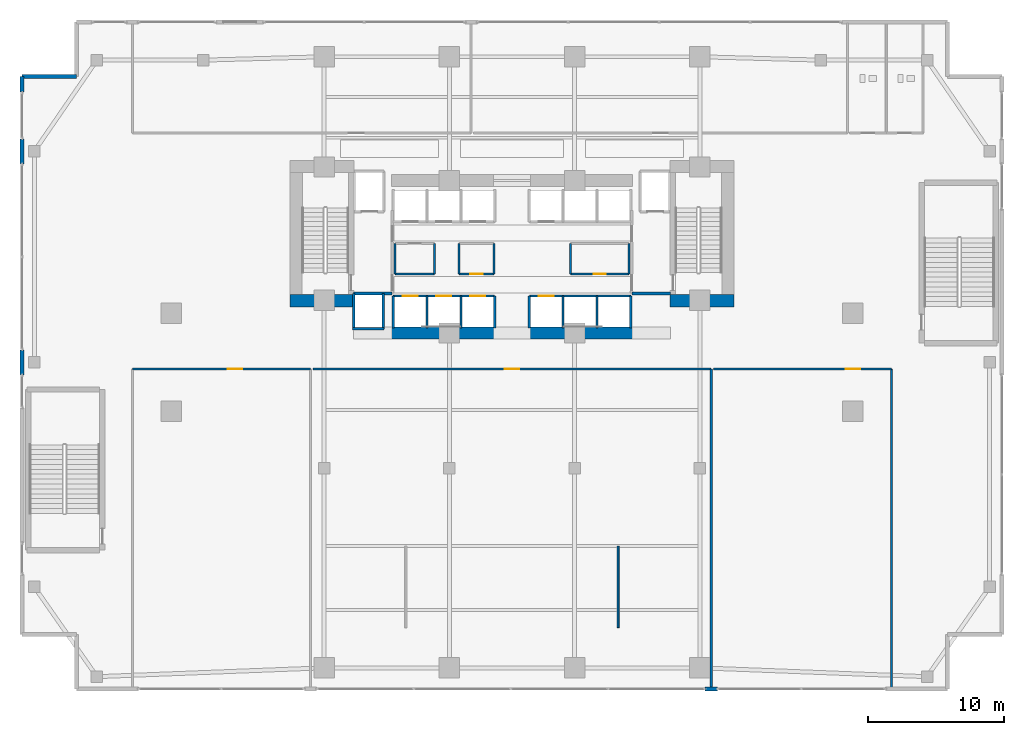
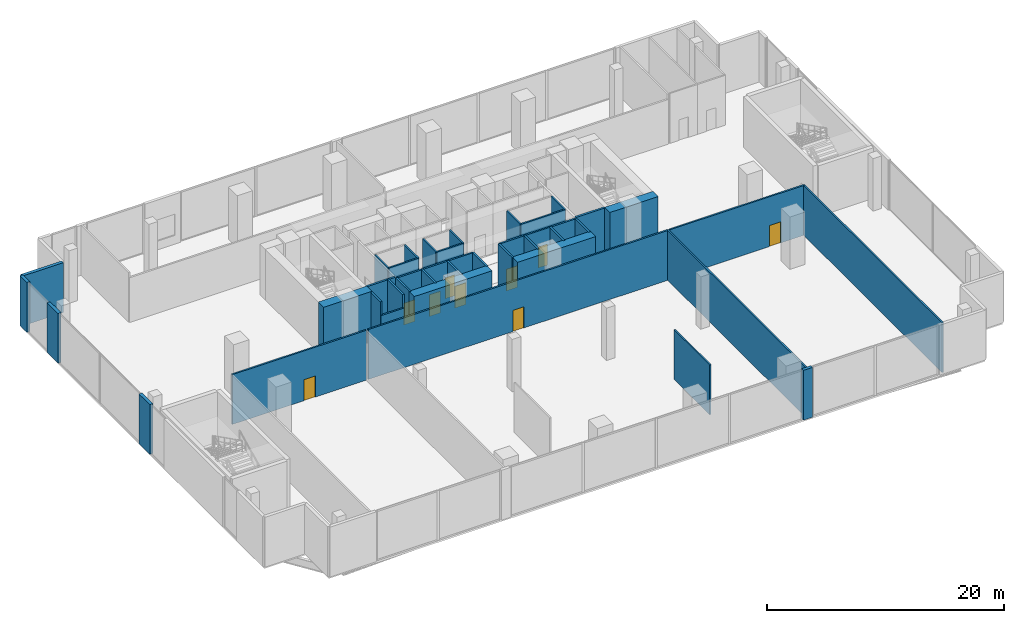
# One storey, part 23 of 30: 43 walls, 9 doors, 9 openings.
"""IFC4 building model written with IfcOpenShell, lengths in metres."""

from ifc_helpers import new_model, si_unit, direction, frame, frame_2d, origin, place, context, subcontext, project, spatial, rectangle, extrude, material, layer, layer_set, type_object, element, fill, save


model = new_model("IFC4")

# Units and contexts
model_context = context("Model", 3, precision=1e-05, world=origin(), true_north=direction((0.0, 1.0)))
body_context = subcontext(model_context, "Body", "Model", "MODEL_VIEW")
ifc_project = project(units=[si_unit("LENGTHUNIT", "METRE"), si_unit("AREAUNIT", "SQUARE_METRE"), si_unit("VOLUMEUNIT", "CUBIC_METRE"), si_unit("PLANEANGLEUNIT", "RADIAN"), si_unit("MASSUNIT", "GRAM", prefix="KILO")], contexts=[model_context])

# Site, building, storey
site_placement = place(None, origin())
site = spatial("IfcSite", under=ifc_project, at=site_placement, CompositionType="ELEMENT")
building_placement = place(site_placement, origin())
building = spatial("IfcBuilding", under=site, at=building_placement, Name="Zuhayl Quay Hotel", CompositionType="ELEMENT")
storey_placement = place(building_placement, frame((0.0, 0.0, 6.0)))
storey = spatial("IfcBuildingStorey", under=building, at=storey_placement, Name="L01", CompositionType="ELEMENT", Elevation=6.0)

# Walls
ifc_material_1 = material(Name="Concrete C70/85", Category="concrete")
ifc_layer_1 = layer(ifc_material_1, 0.89990234375, Name="Concrete C70/85", Category="concrete")
ifc_layer_set_1 = layer_set([ifc_layer_1], Name="Concrete C70/85")
wall_type_1 = type_object("IfcWallType", Name="WL_CORE_900", PredefinedType="SHEAR", material=ifc_layer_set_1)
for number, where, z_axis, x_axis, name in (
    (1, (-16.31005859375, 4.52001953125, 0.0), (0.0, 0.0, 1.0), (1.0, 0.0, 0.0), "L01 Core Shear Wall CW_SW"),
    (2, (11.60009765625, 4.52001953125, 0.0), (0.0, 0.0, 1.0), (1.0, 0.0, 0.0), "L01 Core Shear Wall CW_SE"),
):
    element("IfcWall", number, at=place(storey_placement, frame(where, z_axis=z_axis, x_axis=x_axis)), inside=storey, type_object=wall_type_1, Name=name, PredefinedType="SHEAR", context=body_context, shape_type="SweptSolid", body=[
        extrude(rectangle(XDim=4.7099609375, YDim=0.89990234375, at=frame_2d((2.35498046875, 0.0))), origin(), (0.0, 0.0, 1.0), 5.2099609375),
    ])
for number, where, z_axis, x_axis, name in (
    (3, (-8.85009765625, 2.14990234375, 0.0), (0.0, 0.0, 1.0), (1.0, 0.0, 0.0), "L01 Core Shear Wall CW_SC_W"),
    (4, (1.25, 2.14990234375, 0.0), (0.0, 0.0, 1.0), (1.0, 0.0, 0.0), "L01 Core Shear Wall CW_SC_E"),
):
    element("IfcWall", number, at=place(storey_placement, frame(where, z_axis=z_axis, x_axis=x_axis)), inside=storey, type_object=wall_type_1, Name=name, PredefinedType="SHEAR", context=body_context, shape_type="SweptSolid", body=[
        extrude(rectangle(XDim=7.60009765625, YDim=0.89990234375, at=frame_2d((3.800048828125, 0.0))), origin(), (0.0, 0.0, 1.0), 5.139892578125),
    ])
ifc_material_2 = material(Name="Precast concrete C45/55", Category="concrete")
ifc_layer_2 = layer(ifc_material_2, 0.300048828125, Name="Precast concrete C45/55", Category="concrete")
ifc_layer_set_2 = layer_set([ifc_layer_2], Name="Precast concrete C45/55")
wall_type_2 = type_object("IfcWallType", Name="WL_EXT_300", PredefinedType="STANDARD", material=ifc_layer_set_2)
for number, where, z_axis, x_axis, name in (
    (5, (-36.0, -0.919921875, 0.0), (0.0, 0.0, 1.0), (0.0, 1.0, 0.0), "L01 Exterior Precast Wall ENV_L01_E02_EW3"),
    (6, (-36.0, 14.580078125, 0.0), (0.0, 0.0, 1.0), (0.0, 1.0, 0.0), "L01 Exterior Precast Wall ENV_L01_E02_EW4"),
):
    element("IfcWall", number, at=place(storey_placement, frame(where, z_axis=z_axis, x_axis=x_axis)), inside=storey, type_object=wall_type_2, Name=name, PredefinedType="STANDARD", context=body_context, shape_type="SweptSolid", body=[
        extrude(rectangle(XDim=1.83984375, YDim=0.300048828125, at=frame_2d((0.919921875, 0.0))), origin(), (0.0, 0.0, 1.0), 5.139892578125),
    ])
wall_1_placement = place(storey_placement, frame((-36.0, 19.85009765625, 0.0), z_axis=(0.0, 0.0, 1.0), x_axis=(0.0, 1.0, 0.0)))
element("IfcWall", 7, at=wall_1_placement, inside=storey, type_object=wall_type_2, Name="L01 Exterior Precast Wall ENV_L01_E02_EW5", PredefinedType="STANDARD", context=body_context, shape_type="SweptSolid", body=[
    extrude(rectangle(XDim=1.14990234375, YDim=0.300048828125, at=frame_2d((0.574951171875, 0.0))), origin(), (0.0, 0.0, 1.0), 5.139892578125),
])
wall_2_placement = place(storey_placement, frame((-36.0, 21.0, 0.0), z_axis=(0.0, 0.0, 1.0), x_axis=(1.0, 0.0, 0.0)))
element("IfcWall", 8, at=wall_2_placement, inside=storey, type_object=wall_type_2, Name="L01 Exterior Precast Wall ENV_L01_EW03", PredefinedType="STANDARD", context=body_context, shape_type="SweptSolid", body=[
    extrude(rectangle(XDim=4.0, YDim=0.300048828125, at=frame_2d((2.0, 0.0))), origin(), (0.0, 0.0, 1.0), 5.139892578125),
])
wall_3_placement = place(storey_placement, frame((15.090087890625, -24.0, 0.0), z_axis=(0.0, 0.0, 1.0), x_axis=(-1.0, 0.0, 0.0)))
element("IfcWall", 9, at=wall_3_placement, inside=storey, type_object=wall_type_2, Name="L01 Exterior Precast Wall ENV_L01_E11_EW2", PredefinedType="STANDARD", context=body_context, shape_type="SweptSolid", body=[
    extrude(rectangle(XDim=0.900146484375, YDim=0.300048828125, at=frame_2d((0.4501953125, 0.0))), origin(), (0.0, 0.0, 1.0), 5.139892578125),
])
ifc_material_3 = material(Name="Acoustic Timber Operable Panel STC-54", Category="wood")
ifc_layer_3 = layer(ifc_material_3, 0.139892578125, Name="Acoustic Timber Operable Panel STC-54", Category="wood")
ifc_layer_set_3 = layer_set([ifc_layer_3], Name="Acoustic Timber Operable Panel STC-54")
wall_type_3 = type_object("IfcWallType", Name="WL_MOVABLE_140", PredefinedType="MOVABLE", material=ifc_layer_set_3)
wall_4_placement = place(storey_placement, frame((7.800048828125, -19.5, 0.0), z_axis=(0.0, 0.0, 1.0), x_axis=(0.0, 1.0, 0.0)))
element("IfcWall", 10, at=wall_4_placement, inside=storey, type_object=wall_type_3, Name="L01 Operable Acoustic Banquet Partition MW1-2", PredefinedType="MOVABLE", context=body_context, shape_type="SweptSolid", body=[
    extrude(rectangle(XDim=6.0, YDim=0.139892578125, at=frame_2d((3.0, 0.0))), origin(), (0.0, 0.0, 1.0), 5.139892578125),
])

# Wall, opening, door
ifc_material_4 = material(Name="Acoustic Gypsum Partition STC-58")
ifc_layer_4 = layer(ifc_material_4, 0.14990234375, Name="Acoustic Gypsum Partition STC-58")
ifc_layer_set_4 = layer_set([ifc_layer_4], Name="Acoustic Gypsum Partition STC-58")
wall_type_4 = type_object("IfcWallType", Name="WL_PART_150", PredefinedType="PARTITIONING", material=ifc_layer_set_4)
wall_5_placement = place(storey_placement, frame((-3.909912109375, 6.47998046875, 0.0), z_axis=(0.0, 0.0, 1.0), x_axis=(1.0, 0.0, 0.0)))
wall_5 = element("IfcWall", 11, at=wall_5_placement, inside=storey, type_object=wall_type_4, Name="L01 Partition IW_L01_CORE_BC_S", PredefinedType="PARTITIONING", context=body_context, shape_type="SweptSolid", body=[
    extrude(rectangle(XDim=2.58984375, YDim=0.14990234375, at=frame_2d((1.294921875, 0.0))), origin(), (0.0, 0.0, 1.0), 5.139892578125),
])
opening_1_placement = place(wall_5_placement, frame((0.844970703125, 0.0, 0.0)))
opening_1 = element("IfcOpeningElement", 12, at=opening_1_placement, cuts=wall_5, Name="Opening D06", PredefinedType="OPENING", context=body_context, shape_type="SweptSolid", body=[
    extrude(rectangle(XDim=0.89990234375, YDim=2.14990234375, at=frame_2d((0.449951171875, 1.074951171875))), frame((0.0, 0.0849609375, 0.0), z_axis=(0.0, -1.0, 0.0), x_axis=(1.0, 0.0, 0.0)), (0.0, 0.0, 1.0), 0.169921875),
])
ifc_material_5 = material(Name="Steel ASTM A992 Grade 50", Category="steel")
door_type_1 = type_object("IfcDoorType", Name="DR_INT_900", OperationType="NOTDEFINED", PredefinedType="DOOR", material=ifc_material_5)
door_1_placement = place(opening_1_placement, origin())
door_1 = element("IfcDoor", 13, at=door_1_placement, inside=storey, type_object=door_type_1, Name="L01 BMS Control Closet Door", OperationType="SINGLE_SWING_LEFT", OverallHeight=2.14990234375, OverallWidth=0.89990234375, PredefinedType="DOOR", context=body_context, shape_type="SweptSolid", body=[
    extrude(rectangle(XDim=0.89990234375, YDim=2.14990234375, at=frame_2d((0.449951171875, 1.074951171875))), frame((0.0, 0.02490234375, 0.0), z_axis=(0.0, -1.0, 0.0), x_axis=(1.0, 0.0, 0.0)), (0.0, 0.0, 1.0), 0.050048828125),
])
fill(opening_1, door_1)

wall_6_placement = place(storey_placement, frame((4.2900390625, 6.47998046875, 0.0), z_axis=(0.0, 0.0, 1.0), x_axis=(1.0, 0.0, 0.0)))
wall_6 = element("IfcWall", 14, at=wall_6_placement, inside=storey, type_object=wall_type_4, Name="L01 Partition IW_L01_CORE_VL_S", PredefinedType="PARTITIONING", context=body_context, shape_type="SweptSolid", body=[
    extrude(rectangle(XDim=4.320068359375, YDim=0.14990234375, at=frame_2d((2.16015625, 0.0))), origin(), (0.0, 0.0, 1.0), 5.139892578125),
])
opening_2_placement = place(wall_6_placement, frame((1.7099609375, 0.0, 0.0)))
opening_2 = element("IfcOpeningElement", 15, at=opening_2_placement, cuts=wall_6, Name="Opening D06", PredefinedType="OPENING", context=body_context, shape_type="SweptSolid", body=[
    extrude(rectangle(XDim=0.89990234375, YDim=2.14990234375, at=frame_2d((0.449951171875, 1.074951171875))), frame((0.0, 0.0849609375, 0.0), z_axis=(0.0, -1.0, 0.0), x_axis=(1.0, 0.0, 0.0)), (0.0, 0.0, 1.0), 0.169921875),
])
door_2_placement = place(opening_2_placement, origin())
door_2 = element("IfcDoor", 16, at=door_2_placement, inside=storey, type_object=door_type_1, Name="L01 Floor Valet Store Door", OperationType="SINGLE_SWING_RIGHT", OverallHeight=2.14990234375, OverallWidth=0.89990234375, PredefinedType="DOOR", context=body_context, shape_type="SweptSolid", body=[
    extrude(rectangle(XDim=0.89990234375, YDim=2.14990234375, at=frame_2d((0.449951171875, 1.074951171875))), frame((0.0, 0.02490234375, 0.0), z_axis=(0.0, -1.0, 0.0), x_axis=(1.0, 0.0, 0.0)), (0.0, 0.0, 1.0), 0.050048828125),
])
fill(opening_2, door_2)

# Walls
wall_7_placement = place(storey_placement, frame((-8.610107421875, 6.47998046875, 0.0), z_axis=(0.0, 0.0, 1.0), x_axis=(1.0, 0.0, 0.0)))
element("IfcWall", 17, at=wall_7_placement, inside=storey, type_object=wall_type_4, Name="L01 Partition IW_L01_CORE_HK_S", PredefinedType="PARTITIONING", context=body_context, shape_type="SweptSolid", body=[
    extrude(rectangle(XDim=2.920166015625, YDim=0.14990234375, at=frame_2d((1.4599609375, 0.0))), origin(), (0.0, 0.0, 1.0), 5.139892578125),
])
for number, where, z_axis, x_axis, name in (
    (18, (-8.610107421875, 6.47998046875, 0.0), (0.0, 0.0, 1.0), (0.0, 1.0, 0.0), "L01 Partition IW_L01_CORE_HK_W"),
    (19, (-5.68994140625, 6.47998046875, 0.0), (0.0, 0.0, 1.0), (0.0, 1.0, 0.0), "L01 Partition IW_L01_CORE_HK_E"),
    (20, (-3.909912109375, 6.47998046875, 0.0), (0.0, 0.0, 1.0), (0.0, 1.0, 0.0), "L01 Partition IW_L01_CORE_BC_W"),
    (21, (-1.320068359375, 6.47998046875, 0.0), (0.0, 0.0, 1.0), (0.0, 1.0, 0.0), "L01 Partition IW_L01_CORE_BC_E"),
    (22, (4.2900390625, 6.47998046875, 0.0), (0.0, 0.0, 1.0), (0.0, 1.0, 0.0), "L01 Partition IW_L01_CORE_VL_W"),
    (23, (8.610107421875, 6.47998046875, 0.0), (0.0, 0.0, 1.0), (0.0, 1.0, 0.0), "L01 Partition IW_L01_CORE_VL_E"),
):
    element("IfcWall", number, at=place(storey_placement, frame(where, z_axis=z_axis, x_axis=x_axis)), inside=storey, type_object=wall_type_4, Name=name, PredefinedType="PARTITIONING", context=body_context, shape_type="SweptSolid", body=[
        extrude(rectangle(XDim=2.239990234375, YDim=0.14990234375, at=frame_2d((1.1201171875, 0.0))), origin(), (0.0, 0.0, 1.0), 5.139892578125),
    ])
for number, where, z_axis, x_axis, name in (
    (24, (14.639892578125, -23.93994140625, 0.0), (0.0, 0.0, 1.0), (0.0, 1.0, 0.0), "L01 Partition IW_L01_VIP_DIN_2_E"),
    (25, (27.89990234375, -23.93994140625, 0.0), (0.0, 0.0, 1.0), (0.0, 1.0, 0.0), "L01 Partition IW_L01_FIN_KITCH_E"),
):
    element("IfcWall", number, at=place(storey_placement, frame(where, z_axis=z_axis, x_axis=x_axis)), inside=storey, type_object=wall_type_4, Name=name, PredefinedType="PARTITIONING", context=body_context, shape_type="SweptSolid", body=[
        extrude(rectangle(XDim=23.43994140625, YDim=0.14990234375, at=frame_2d((11.719970703125, 0.0))), origin(), (0.0, 0.0, 1.0), 5.139892578125),
    ])

# Wall, opening, door
ifc_layer_5 = layer(ifc_material_4, 0.159912109375, Name="Acoustic Gypsum Partition STC-58")
ifc_layer_set_5 = layer_set([ifc_layer_5], Name="Acoustic Gypsum Partition STC-58")
wall_type_5 = type_object("IfcWallType", Name="WL_PART_CORR_160", PredefinedType="PARTITIONING", material=ifc_layer_set_5)
wall_8_placement = place(storey_placement, frame((-27.89990234375, -0.5, 0.0), z_axis=(0.0, 0.0, 1.0), x_axis=(1.0, 0.0, 0.0)))
wall_8 = element("IfcWall", 26, at=wall_8_placement, inside=storey, type_object=wall_type_5, Name="L01 Partition IW_L01_VIP_DIN_1_N", PredefinedType="PARTITIONING", context=body_context, shape_type="SweptSolid", body=[
    extrude(rectangle(XDim=13.099853515625, YDim=0.159912109375, at=frame_2d((6.5498046875, 0.0))), origin(), (0.0, 0.0, 1.0), 5.139892578125),
])
opening_3_placement = place(wall_8_placement, frame((7.010009765625, 0.0, 0.0)))
opening_3 = element("IfcOpeningElement", 27, at=opening_3_placement, cuts=wall_8, Name="Opening D05A", PredefinedType="OPENING", context=body_context, shape_type="SweptSolid", body=[
    extrude(rectangle(XDim=1.080078125, YDim=2.179931640625, at=frame_2d((0.5400390625, 1.08984375))), frame((0.0, 0.08984375, 0.0), z_axis=(0.0, -1.0, 0.0), x_axis=(1.0, 0.0, 0.0)), (0.0, 0.0, 1.0), 0.179931640625),
])
ifc_material_6 = material(Name="Solid Walnut Acoustic Fire Door")
door_type_2 = type_object("IfcDoorType", Name="DR_INT_1100", OperationType="NOTDEFINED", PredefinedType="DOOR", material=ifc_material_6)
door_3_placement = place(opening_3_placement, origin())
door_3 = element("IfcDoor", 28, at=door_3_placement, inside=storey, type_object=door_type_2, Name="L01 Private Banquet Salon Al-Boom Door", OperationType="SINGLE_SWING_LEFT", OverallHeight=2.179931640625, OverallWidth=1.080078125, PredefinedType="DOOR", context=body_context, shape_type="SweptSolid", body=[
    extrude(rectangle(XDim=1.080078125, YDim=2.179931640625, at=frame_2d((0.5400390625, 1.08984375))), frame((0.0, 0.02490234375, 0.0), z_axis=(0.0, -1.0, 0.0), x_axis=(1.0, 0.0, 0.0)), (0.0, 0.0, 1.0), 0.050048828125),
])
fill(opening_3, door_3)

wall_9_placement = place(storey_placement, frame((-14.639892578125, -0.5, 0.0), z_axis=(0.0, 0.0, 1.0), x_axis=(1.0, 0.0, 0.0)))
wall_9 = element("IfcWall", 29, at=wall_9_placement, inside=storey, type_object=wall_type_5, Name="L01 Partition IW_L01_VIP_DIN_2_N", PredefinedType="PARTITIONING", context=body_context, shape_type="SweptSolid", body=[
    extrude(rectangle(XDim=29.27978515625, YDim=0.159912109375, at=frame_2d((14.639892578125, 0.0))), origin(), (0.0, 0.0, 1.0), 5.139892578125),
])
opening_4_placement = place(wall_9_placement, frame((14.10009765625, 0.0, 0.0)))
opening_4 = element("IfcOpeningElement", 30, at=opening_4_placement, cuts=wall_9, Name="Opening D05A", PredefinedType="OPENING", context=body_context, shape_type="SweptSolid", body=[
    extrude(rectangle(XDim=1.080078125, YDim=2.179931640625, at=frame_2d((0.5400390625, 1.08984375))), frame((0.0, 0.08984375, 0.0), z_axis=(0.0, -1.0, 0.0), x_axis=(1.0, 0.0, 0.0)), (0.0, 0.0, 1.0), 0.179931640625),
])
door_4_placement = place(opening_4_placement, origin())
door_4 = element("IfcDoor", 31, at=door_4_placement, inside=storey, type_object=door_type_2, Name="L01 Private Banquet Salon Dhow Door", OperationType="SINGLE_SWING_RIGHT", OverallHeight=2.179931640625, OverallWidth=1.080078125, PredefinedType="DOOR", context=body_context, shape_type="SweptSolid", body=[
    extrude(rectangle(XDim=1.080078125, YDim=2.179931640625, at=frame_2d((0.5400390625, 1.08984375))), frame((0.0, 0.02490234375, 0.0), z_axis=(0.0, -1.0, 0.0), x_axis=(1.0, 0.0, 0.0)), (0.0, 0.0, 1.0), 0.050048828125),
])
fill(opening_4, door_4)

wall_10_placement = place(storey_placement, frame((14.800048828125, -0.5, 0.0), z_axis=(0.0, 0.0, 1.0), x_axis=(1.0, 0.0, 0.0)))
wall_10 = element("IfcWall", 32, at=wall_10_placement, inside=storey, type_object=wall_type_5, Name="L01 Partition IW_L01_FIN_KITCH_N", PredefinedType="PARTITIONING", context=body_context, shape_type="SweptSolid", body=[
    extrude(rectangle(XDim=13.099853515625, YDim=0.159912109375, at=frame_2d((6.5498046875, 0.0))), origin(), (0.0, 0.0, 1.0), 5.139892578125),
])
opening_5_placement = place(wall_10_placement, frame((9.7099609375, 0.0, 0.0)))
opening_5 = element("IfcOpeningElement", 33, at=opening_5_placement, cuts=wall_10, Name="Opening D05A", PredefinedType="OPENING", context=body_context, shape_type="SweptSolid", body=[
    extrude(rectangle(XDim=1.080078125, YDim=2.179931640625, at=frame_2d((0.5400390625, 1.08984375))), frame((0.0, 0.08984375, 0.0), z_axis=(0.0, -1.0, 0.0), x_axis=(1.0, 0.0, 0.0)), (0.0, 0.0, 1.0), 0.179931640625),
])
door_5_placement = place(opening_5_placement, origin())
door_5 = element("IfcDoor", 34, at=door_5_placement, inside=storey, type_object=door_type_2, Name="L01 Specialty Finishing Kitchen Door", OperationType="SINGLE_SWING_LEFT", OverallHeight=2.179931640625, OverallWidth=1.080078125, PredefinedType="DOOR", context=body_context, shape_type="SweptSolid", body=[
    extrude(rectangle(XDim=1.080078125, YDim=2.179931640625, at=frame_2d((0.5400390625, 1.08984375))), frame((0.0, 0.02490234375, 0.0), z_axis=(0.0, -1.0, 0.0), x_axis=(1.0, 0.0, 0.0)), (0.0, 0.0, 1.0), 0.050048828125),
])
fill(opening_5, door_5)

ifc_material_7 = material(Name="Gypsum Fireboard Assembly EI-90")
ifc_layer_6 = layer(ifc_material_7, 0.1650390625, Name="Gypsum Fireboard Assembly EI-90")
ifc_layer_set_6 = layer_set([ifc_layer_6], Name="Gypsum Fireboard Assembly EI-90")
wall_type_6 = type_object("IfcWallType", Name="WL_PART_SHAFT_160", PredefinedType="PARTITIONING", material=ifc_layer_set_6)
wall_11_placement = place(storey_placement, frame((-8.72998046875, 4.8798828125, 0.0), z_axis=(0.0, 0.0, 1.0), x_axis=(1.0, 0.0, 0.0)))
wall_11 = element("IfcWall", 35, at=wall_11_placement, inside=storey, type_object=wall_type_6, Name="L01 Partition IW_L01_SH_LP1_F", PredefinedType="PARTITIONING", context=body_context, shape_type="SweptSolid", body=[
    extrude(rectangle(XDim=2.47998046875, YDim=0.1650390625, at=frame_2d((1.239990234375, 0.0))), origin(), (0.0, 0.0, 1.0), 5.139892578125),
])
opening_6_placement = place(wall_11_placement, frame((0.68994140625, 0.0, 0.0)))
opening_6 = element("IfcOpeningElement", 36, at=opening_6_placement, cuts=wall_11, Name="Opening LD1", PredefinedType="OPENING", context=body_context, shape_type="SweptSolid", body=[
    extrude(rectangle(XDim=1.10009765625, YDim=2.25, at=frame_2d((0.550048828125, 1.125))), frame((0.0, 0.092529296875, 0.0), z_axis=(0.0, -1.0, 0.0), x_axis=(1.0, 0.0, 0.0)), (0.0, 0.0, 1.0), 0.18505859375),
])
ifc_material_8 = material(Name="Brushed Stainless Steel", Category="steel")
door_type_3 = type_object("IfcDoorType", Name="DR_LIFT_PASS_1100", OperationType="SLIDING_TO_LEFT", PredefinedType="DOOR", material=ifc_material_8)
door_6_placement = place(opening_6_placement, origin())
door_6 = element("IfcDoor", 37, at=door_6_placement, inside=storey, type_object=door_type_3, Name="L01 Lift LP1 Sliding Landing Door", OperationType="SLIDING_TO_LEFT", OverallHeight=2.25, OverallWidth=1.10009765625, PredefinedType="DOOR", context=body_context, shape_type="SweptSolid", body=[
    extrude(rectangle(XDim=1.10009765625, YDim=2.25, at=frame_2d((0.550048828125, 1.125))), frame((0.0, 0.02490234375, 0.0), z_axis=(0.0, -1.0, 0.0), x_axis=(1.0, 0.0, 0.0)), (0.0, 0.0, 1.0), 0.050048828125),
])
fill(opening_6, door_6)

wall_12_placement = place(storey_placement, frame((-6.25, 4.8798828125, 0.0), z_axis=(0.0, 0.0, 1.0), x_axis=(1.0, 0.0, 0.0)))
wall_12 = element("IfcWall", 38, at=wall_12_placement, inside=storey, type_object=wall_type_6, Name="L01 Partition IW_L01_SH_LP2_F", PredefinedType="PARTITIONING", context=body_context, shape_type="SweptSolid", body=[
    extrude(rectangle(XDim=2.5, YDim=0.1650390625, at=frame_2d((1.25, 0.0))), origin(), (0.0, 0.0, 1.0), 5.139892578125),
])
opening_7_placement = place(wall_12_placement, frame((0.699951171875, 0.0, 0.0)))
opening_7 = element("IfcOpeningElement", 39, at=opening_7_placement, cuts=wall_12, Name="Opening LD1", PredefinedType="OPENING", context=body_context, shape_type="SweptSolid", body=[
    extrude(rectangle(XDim=1.10009765625, YDim=2.25, at=frame_2d((0.550048828125, 1.125))), frame((0.0, 0.092529296875, 0.0), z_axis=(0.0, -1.0, 0.0), x_axis=(1.0, 0.0, 0.0)), (0.0, 0.0, 1.0), 0.18505859375),
])
door_7_placement = place(opening_7_placement, origin())
door_7 = element("IfcDoor", 40, at=door_7_placement, inside=storey, type_object=door_type_3, Name="L01 Lift LP2 Sliding Landing Door", OperationType="SLIDING_TO_LEFT", OverallHeight=2.25, OverallWidth=1.10009765625, PredefinedType="DOOR", context=body_context, shape_type="SweptSolid", body=[
    extrude(rectangle(XDim=1.10009765625, YDim=2.25, at=frame_2d((0.550048828125, 1.125))), frame((0.0, 0.02490234375, 0.0), z_axis=(0.0, -1.0, 0.0), x_axis=(1.0, 0.0, 0.0)), (0.0, 0.0, 1.0), 0.050048828125),
])
fill(opening_7, door_7)

wall_13_placement = place(storey_placement, frame((-3.75, 4.8798828125, 0.0), z_axis=(0.0, 0.0, 1.0), x_axis=(1.0, 0.0, 0.0)))
wall_13 = element("IfcWall", 41, at=wall_13_placement, inside=storey, type_object=wall_type_6, Name="L01 Partition IW_L01_SH_MP1_F", PredefinedType="PARTITIONING", context=body_context, shape_type="SweptSolid", body=[
    extrude(rectangle(XDim=2.47998046875, YDim=0.1650390625, at=frame_2d((1.239990234375, 0.0))), origin(), (0.0, 0.0, 1.0), 5.139892578125),
])
opening_8_placement = place(wall_13_placement, frame((0.68994140625, 0.0, 0.0)))
opening_8 = element("IfcOpeningElement", 42, at=opening_8_placement, cuts=wall_13, Name="Opening LD1", PredefinedType="OPENING", context=body_context, shape_type="SweptSolid", body=[
    extrude(rectangle(XDim=1.10009765625, YDim=2.25, at=frame_2d((0.550048828125, 1.125))), frame((0.0, 0.092529296875, 0.0), z_axis=(0.0, -1.0, 0.0), x_axis=(1.0, 0.0, 0.0)), (0.0, 0.0, 1.0), 0.18505859375),
])
door_8_placement = place(opening_8_placement, origin())
door_8 = element("IfcDoor", 43, at=door_8_placement, inside=storey, type_object=door_type_3, Name="L01 Lift MP1 Sliding Landing Door", OperationType="SLIDING_TO_LEFT", OverallHeight=2.25, OverallWidth=1.10009765625, PredefinedType="DOOR", context=body_context, shape_type="SweptSolid", body=[
    extrude(rectangle(XDim=1.10009765625, YDim=2.25, at=frame_2d((0.550048828125, 1.125))), frame((0.0, 0.02490234375, 0.0), z_axis=(0.0, -1.0, 0.0), x_axis=(1.0, 0.0, 0.0)), (0.0, 0.0, 1.0), 0.050048828125),
])
fill(opening_8, door_8)

wall_14_placement = place(storey_placement, frame((1.27001953125, 4.8798828125, 0.0), z_axis=(0.0, 0.0, 1.0), x_axis=(1.0, 0.0, 0.0)))
wall_14 = element("IfcWall", 44, at=wall_14_placement, inside=storey, type_object=wall_type_6, Name="L01 Partition IW_L01_SH_MP2_F", PredefinedType="PARTITIONING", context=body_context, shape_type="SweptSolid", body=[
    extrude(rectangle(XDim=2.47998046875, YDim=0.1650390625, at=frame_2d((1.239990234375, 0.0))), origin(), (0.0, 0.0, 1.0), 5.139892578125),
])
opening_9_placement = place(wall_14_placement, frame((0.68994140625, 0.0, 0.0)))
opening_9 = element("IfcOpeningElement", 45, at=opening_9_placement, cuts=wall_14, Name="Opening LD1", PredefinedType="OPENING", context=body_context, shape_type="SweptSolid", body=[
    extrude(rectangle(XDim=1.10009765625, YDim=2.25, at=frame_2d((0.550048828125, 1.125))), frame((0.0, 0.092529296875, 0.0), z_axis=(0.0, -1.0, 0.0), x_axis=(1.0, 0.0, 0.0)), (0.0, 0.0, 1.0), 0.18505859375),
])
door_9_placement = place(opening_9_placement, origin())
door_9 = element("IfcDoor", 46, at=door_9_placement, inside=storey, type_object=door_type_3, Name="L01 Lift MP2 Sliding Landing Door", OperationType="SLIDING_TO_LEFT", OverallHeight=2.25, OverallWidth=1.10009765625, PredefinedType="DOOR", context=body_context, shape_type="SweptSolid", body=[
    extrude(rectangle(XDim=1.10009765625, YDim=2.25, at=frame_2d((0.550048828125, 1.125))), frame((0.0, 0.02490234375, 0.0), z_axis=(0.0, -1.0, 0.0), x_axis=(1.0, 0.0, 0.0)), (0.0, 0.0, 1.0), 0.050048828125),
])
fill(opening_9, door_9)

# Walls
for number, where, z_axis, x_axis, name in (
    (47, (-8.72998046875, 2.52001953125, 0.0), (0.0, 0.0, 1.0), (0.0, 1.0, 0.0), "L01 Partition IW_L01_SH_LP1_W"),
    (48, (-6.25, 2.52001953125, 0.0), (0.0, 0.0, 1.0), (0.0, 1.0, 0.0), "L01 Partition IW_L01_SH_LP1_E"),
    (49, (-3.75, 2.52001953125, 0.0), (0.0, 0.0, 1.0), (0.0, 1.0, 0.0), "L01 Partition IW_L01_SH_LP2_E"),
    (50, (-1.27001953125, 2.52001953125, 0.0), (0.0, 0.0, 1.0), (0.0, 1.0, 0.0), "L01 Partition IW_L01_SH_MP1_E"),
    (51, (1.27001953125, 2.52001953125, 0.0), (0.0, 0.0, 1.0), (0.0, 1.0, 0.0), "L01 Partition IW_L01_SH_MP2_W"),
    (52, (3.75, 2.52001953125, 0.0), (0.0, 0.0, 1.0), (0.0, 1.0, 0.0), "L01 Partition IW_L01_SH_MP2_E"),
):
    element("IfcWall", number, at=place(storey_placement, frame(where, z_axis=z_axis, x_axis=x_axis)), inside=storey, type_object=wall_type_6, Name=name, PredefinedType="PARTITIONING", context=body_context, shape_type="SweptSolid", body=[
        extrude(rectangle(XDim=2.35986328125, YDim=0.1650390625, at=frame_2d((1.179931640625, 0.0))), origin(), (0.0, 0.0, 1.0), 5.139892578125),
    ])
wall_15_placement = place(storey_placement, frame((3.75, 4.8798828125, 0.0), z_axis=(0.0, 0.0, 1.0), x_axis=(1.0, 0.0, 0.0)))
element("IfcWall", 53, at=wall_15_placement, inside=storey, type_object=wall_type_6, Name="L01 Partition IW_L01_SH_HP1_F", PredefinedType="PARTITIONING", context=body_context, shape_type="SweptSolid", body=[
    extrude(rectangle(XDim=2.5, YDim=0.1650390625, at=frame_2d((1.25, 0.0))), origin(), (0.0, 0.0, 1.0), 5.139892578125),
])
wall_16_placement = place(storey_placement, frame((6.25, 2.52001953125, 0.0), z_axis=(0.0, 0.0, 1.0), x_axis=(0.0, 1.0, 0.0)))
element("IfcWall", 54, at=wall_16_placement, inside=storey, type_object=wall_type_6, Name="L01 Partition IW_L01_SH_HP1_E", PredefinedType="PARTITIONING", context=body_context, shape_type="SweptSolid", body=[
    extrude(rectangle(XDim=2.35986328125, YDim=0.1650390625, at=frame_2d((1.179931640625, 0.0))), origin(), (0.0, 0.0, 1.0), 5.139892578125),
])
wall_17_placement = place(storey_placement, frame((6.25, 4.8798828125, 0.0), z_axis=(0.0, 0.0, 1.0), x_axis=(1.0, 0.0, 0.0)))
element("IfcWall", 55, at=wall_17_placement, inside=storey, type_object=wall_type_6, Name="L01 Partition IW_L01_SH_HP2_F", PredefinedType="PARTITIONING", context=body_context, shape_type="SweptSolid", body=[
    extrude(rectangle(XDim=2.47998046875, YDim=0.1650390625, at=frame_2d((1.239990234375, 0.0))), origin(), (0.0, 0.0, 1.0), 5.139892578125),
])
wall_18_placement = place(storey_placement, frame((8.72998046875, 2.52001953125, 0.0), z_axis=(0.0, 0.0, 1.0), x_axis=(0.0, 1.0, 0.0)))
element("IfcWall", 56, at=wall_18_placement, inside=storey, type_object=wall_type_6, Name="L01 Partition IW_L01_SH_HP2_E", PredefinedType="PARTITIONING", context=body_context, shape_type="SweptSolid", body=[
    extrude(rectangle(XDim=2.35986328125, YDim=0.1650390625, at=frame_2d((1.179931640625, 0.0))), origin(), (0.0, 0.0, 1.0), 5.139892578125),
])
wall_19_placement = place(storey_placement, frame((-11.6298828125, 2.469970703125, 0.0), z_axis=(0.0, 0.0, 1.0), x_axis=(0.0, 1.0, 0.0)))
element("IfcWall", 57, at=wall_19_placement, inside=storey, type_object=wall_type_6, Name="L01 Partition IW_L01_RISER_W", PredefinedType="PARTITIONING", context=body_context, shape_type="SweptSolid", body=[
    extrude(rectangle(XDim=2.580078125, YDim=0.1650390625, at=frame_2d((1.2900390625, 0.0))), origin(), (0.0, 0.0, 1.0), 5.139892578125),
])
wall_20_placement = place(storey_placement, frame((-11.7099609375, 2.469970703125, 0.0), z_axis=(0.0, 0.0, 1.0), x_axis=(1.0, 0.0, 0.0)))
element("IfcWall", 58, at=wall_20_placement, inside=storey, type_object=wall_type_6, Name="L01 Partition IW_L01_RISER_S", PredefinedType="PARTITIONING", context=body_context, shape_type="SweptSolid", body=[
    extrude(rectangle(XDim=2.31005859375, YDim=0.1650390625, at=frame_2d((1.155029296875, 0.0))), origin(), (0.0, 0.0, 1.0), 3.739990234375),
])
ifc_layer_7 = layer(ifc_material_7, 0.179931640625, Name="Gypsum Fireboard Assembly EI-90")
ifc_layer_set_7 = layer_set([ifc_layer_7], Name="Gypsum Fireboard Assembly EI-90")
wall_type_7 = type_object("IfcWallType", Name="WL_PART_SHAFT_180", PredefinedType="PARTITIONING", material=ifc_layer_set_7)
wall_21_placement = place(storey_placement, frame((-9.469970703125, 2.449951171875, 0.0), z_axis=(0.0, 0.0, 1.0), x_axis=(0.0, 1.0, 0.0)))
element("IfcWall", 59, at=wall_21_placement, inside=storey, type_object=wall_type_7, Name="L01 Partition IW_L01_RISER_E", PredefinedType="PARTITIONING", context=body_context, shape_type="SweptSolid", body=[
    extrude(rectangle(XDim=2.60009765625, YDim=0.179931640625, at=frame_2d((1.300048828125, 0.0))), origin(), (0.0, 0.0, 1.0), 5.139892578125),
])
ifc_material_9 = material(Name="Gypsum Fireboard Assembly EI-120")
ifc_layer_8 = layer(ifc_material_9, 0.199951171875, Name="Gypsum Fireboard Assembly EI-120")
ifc_layer_set_8 = layer_set([ifc_layer_8], Name="Gypsum Fireboard Assembly EI-120")
wall_type_8 = type_object("IfcWallType", Name="WL_PART_SHAFT_200", PredefinedType="PARTITIONING", material=ifc_layer_set_8)
for number, where, z_axis, x_axis, name in (
    (60, (-11.64990234375, 5.050048828125, 0.0), (0.0, 0.0, 1.0), (1.0, 0.0, 0.0), "L01 Partition IW_L01_FSAE_W_S"),
    (61, (8.800048828125, 5.050048828125, 0.0), (0.0, 0.0, 1.0), (1.0, 0.0, 0.0), "L01 Partition IW_L01_FSAE_E_S"),
):
    element("IfcWall", number, at=place(storey_placement, frame(where, z_axis=z_axis, x_axis=x_axis)), inside=storey, type_object=wall_type_8, Name=name, PredefinedType="PARTITIONING", context=body_context, shape_type="SweptSolid", body=[
        extrude(rectangle(XDim=2.849853515625, YDim=0.199951171875, at=frame_2d((1.4248046875, 0.0))), origin(), (0.0, 0.0, 1.0), 5.139892578125),
    ])

save(model, "model.ifc")
